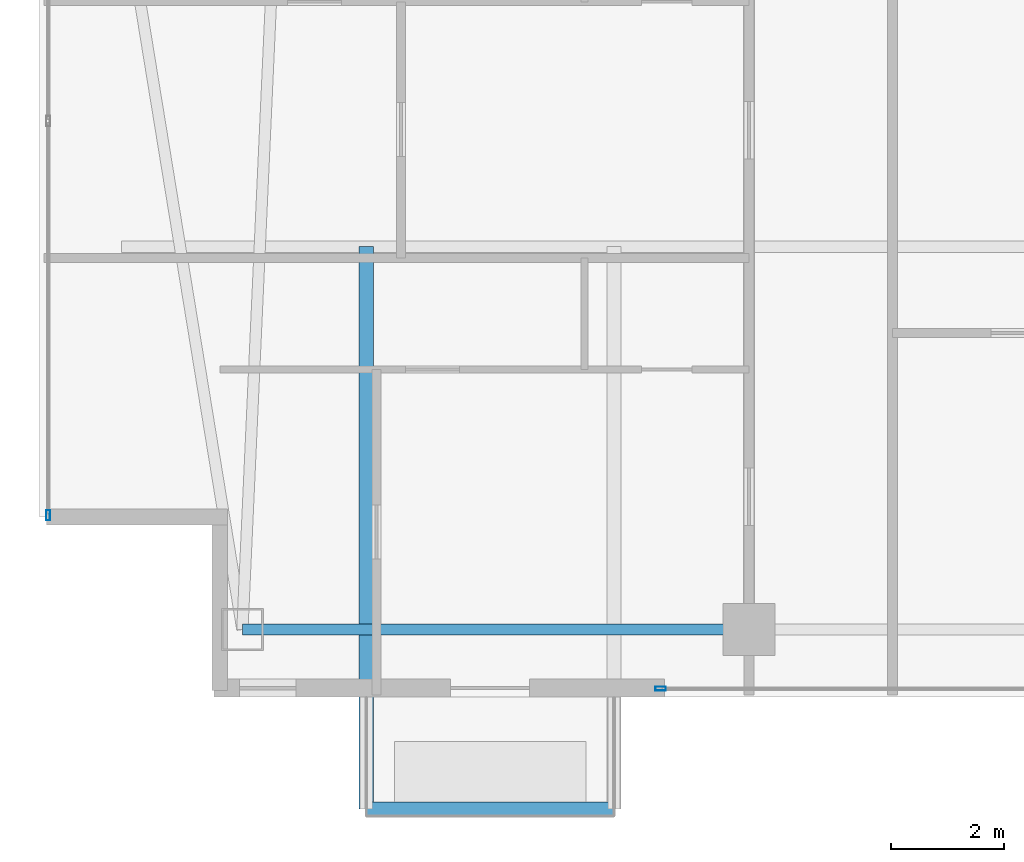
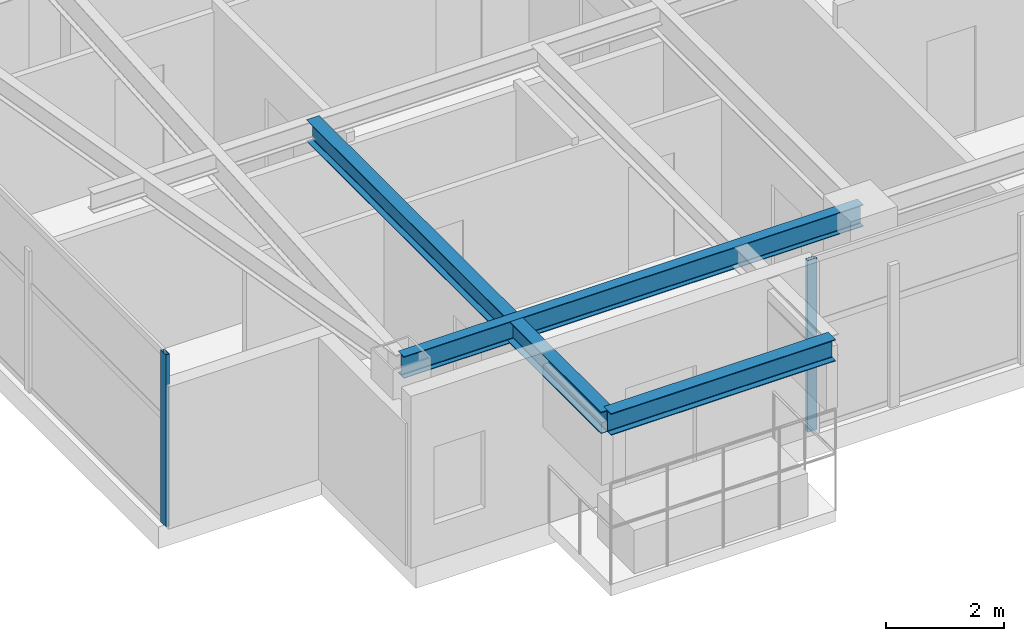
# One storey, part 2 of 29: 3 beams, 2 members, 2 elements without a shape of their own.
"""IFC4 building model written with IfcOpenShell, lengths in metres."""

from ifc_helpers import new_model, si_unit, direction, frame, origin, origin_2d, place, context, subcontext, project, spatial, hollow_rectangle, i_section, extrude, material, layer, layer_set, material_profile, profile_set, type_object, element, aggregate, save


model = new_model("IFC4")

# Units and contexts
model_context = context("Model", 3, precision=1e-05, world=origin(), true_north=direction((0.0, 1.0)))
body_context = subcontext(model_context, "Body", "Model", "MODEL_VIEW")
ifc_project = project(units=[si_unit("LENGTHUNIT", "METRE"), si_unit("AREAUNIT", "SQUARE_METRE"), si_unit("VOLUMEUNIT", "CUBIC_METRE"), si_unit("PLANEANGLEUNIT", "RADIAN"), si_unit("MASSUNIT", "GRAM", prefix="KILO")], contexts=[model_context])

# Site, building, storey
site_placement = place(None, origin())
site = spatial("IfcSite", under=ifc_project, at=site_placement, CompositionType="ELEMENT")
building_placement = place(site_placement, origin())
building = spatial("IfcBuilding", under=site, at=building_placement, Name="Calvorn Quay Hotel", CompositionType="ELEMENT")
storey_placement = place(building_placement, frame((0.0, 0.0, 199.60009765625)))
storey = spatial("IfcBuildingStorey", under=building, at=storey_placement, Name="L49", CompositionType="ELEMENT", Elevation=199.60009765625)

# Beams
ifc_material_1 = material(Name="Steel Q355B", Category="steel")
ifc_material_profile_1 = material_profile(ifc_material_1, i_section(OverallWidth=0.25, OverallDepth=0.449951171875, WebThickness=0.011962890625, FlangeThickness=0.01611328125, FilletRadius=0.01611328125, at=origin_2d()), Name="HN450x250x12x16")
ifc_profile_set_1 = profile_set([ifc_material_profile_1], Name="Steel Q355B")
beam_type_1 = type_object("IfcBeamType", Name="BM-CANT-BALC", PredefinedType="BEAM", material=ifc_profile_set_1)
beam_1_placement = place(storey_placement, frame((5.800048828125, 10.39990234375, 3.31494140625), z_axis=(0.0, -1.0, 0.0), x_axis=(1.0, 0.0, 0.0)))
element("IfcBeam", 1, at=beam_1_placement, inside=storey, type_object=beam_type_1, Name="Cantilever Balcony Beam BCB-L50-2A", PredefinedType="BEAM", context=body_context, shape_type="SweptSolid", body=[
    extrude(i_section(OverallWidth=0.25, OverallDepth=0.449951171875, WebThickness=0.011962890625, FlangeThickness=0.01611328125, FilletRadius=0.01611328125, at=origin_2d()), origin(), (0.0, 0.0, 1.0), 9.989990234375),
])
beam_2_placement = place(storey_placement, frame((5.800048828125, 0.409912109375, 3.31494140625), z_axis=(1.0, 0.0, 0.0), x_axis=(0.0, 1.0, 0.0)))
element("IfcBeam", 2, at=beam_2_placement, inside=storey, type_object=beam_type_1, Name="Beam BCBO-L50-2", PredefinedType="BEAM", context=body_context, shape_type="SweptSolid", body=[
    extrude(i_section(OverallWidth=0.25, OverallDepth=0.449951171875, WebThickness=0.011962890625, FlangeThickness=0.01611328125, FilletRadius=0.01611328125, at=origin_2d()), origin(), (0.0, 0.0, 1.0), 4.39990234375),
])
ifc_material_2 = material(Name="Steel Q355B", Category="steel")
ifc_material_profile_2 = material_profile(ifc_material_2, i_section(OverallWidth=0.199951171875, OverallDepth=0.449951171875, WebThickness=0.009033203125, FlangeThickness=0.013916015625, FilletRadius=0.01611328125, at=origin_2d()), Name="HN450x200x9x14")
ifc_profile_set_2 = profile_set([ifc_material_profile_2], Name="Steel Q355B")
beam_type_2 = type_object("IfcBeamType", Name="BM-SPANDREL-Z3", PredefinedType="SPANDREL", material=ifc_profile_set_2)
beam_3_placement = place(storey_placement, frame((3.60009765625, 3.60009765625, 3.31494140625), z_axis=(1.0, 0.0, 0.0), x_axis=(0.0, 1.0, 0.0)))
element("IfcBeam", 3, at=beam_3_placement, inside=storey, type_object=beam_type_2, Name="Beam BSP-L49-S1", PredefinedType="SPANDREL", context=body_context, shape_type="SweptSolid", body=[
    extrude(i_section(OverallWidth=0.199951171875, OverallDepth=0.449951171875, WebThickness=0.009033203125, FlangeThickness=0.013916015625, FilletRadius=0.01611328125, at=origin_2d()), origin(), (0.0, 0.0, 1.0), 9.0),
])

# Curtain wall, member
ifc_material_3 = material(Name="Champagne Bronze Anodised Aluminium and Low-E Glass", Category="aluminium")
ifc_layer = layer(ifc_material_3, 0.219970703125)
ifc_layer_set = layer_set([ifc_layer], Name="CW-SYS-Z3")
curtain_wall_type = type_object("IfcCurtainWallType", Name="CW-SYS-Z3", PredefinedType="NOTDEFINED", material=ifc_layer_set)
curtain_wall_1_placement = place(storey_placement, origin())
curtain_wall_1 = element("IfcCurtainWall", 4, at=curtain_wall_1_placement, inside=storey, type_object=curtain_wall_type, Name="Tower West Curtain Wall (L49)", PredefinedType="NOTDEFINED")
ifc_material_4 = material(Name="Champagne Bronze Anodised Aluminium 6063-T6", Category="aluminium")
ifc_material_profile_3 = material_profile(ifc_material_4, hollow_rectangle(XDim=0.068115234375, YDim=0.18505859375, WallThickness=0.00390625, at=origin_2d()), Name="ALU-M185x68x4")
ifc_profile_set_3 = profile_set([ifc_material_profile_3], Name="Champagne Bronze Anodised Aluminium 6063-T6")
member_type = type_object("IfcMemberType", Name="CW-SYS-Z3-MUL", PredefinedType="MULLION", material=ifc_profile_set_3)
member_1_placement = place(storey_placement, frame((0.14990234375, 5.6298828125, 0.0), z_axis=(0.0, 0.0, 1.0), x_axis=(-1.0, 0.0, 0.0)))
member_1 = element("IfcMember", 5, at=member_1_placement, type_object=member_type, Name="CW-L49-W mullion 1", PredefinedType="MULLION", context=body_context, shape_type="SweptSolid", body=[
    extrude(hollow_rectangle(XDim=0.068115234375, YDim=0.18505859375, WallThickness=0.00390625, at=origin_2d()), origin(), (0.0, 0.0, 1.0), 3.559814453125),
])
aggregate(curtain_wall_1, [member_1])

curtain_wall_2_placement = place(storey_placement, origin())
curtain_wall_2 = element("IfcCurtainWall", 6, at=curtain_wall_2_placement, inside=storey, type_object=curtain_wall_type, Name="Tower South Waterfront Curtain Wall (L49)", PredefinedType="NOTDEFINED")
member_2_placement = place(storey_placement, frame((11.030029296875, 2.550048828125, 0.0), z_axis=(0.0, 0.0, 1.0), x_axis=(0.0, 1.0, 0.0)))
member_2 = element("IfcMember", 7, at=member_2_placement, type_object=member_type, Name="CW-L49-S mullion 1", PredefinedType="MULLION", context=body_context, shape_type="SweptSolid", body=[
    extrude(hollow_rectangle(XDim=0.068115234375, YDim=0.18505859375, WallThickness=0.00390625, at=origin_2d()), origin(), (0.0, 0.0, 1.0), 3.559814453125),
])
aggregate(curtain_wall_2, [member_2])

save(model, "model.ifc")
